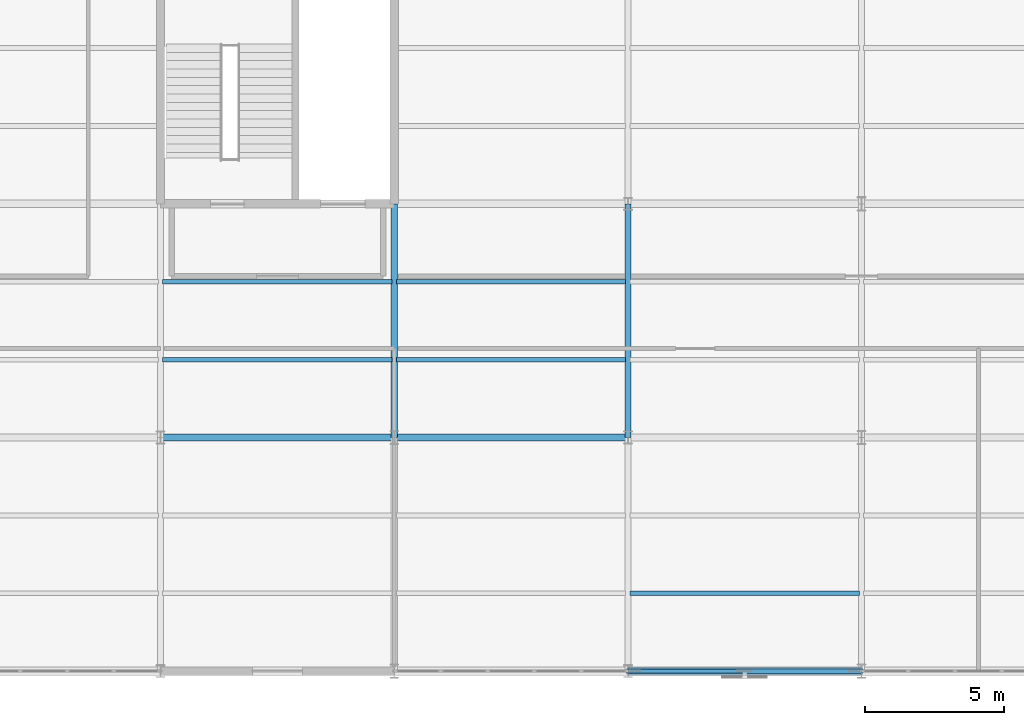
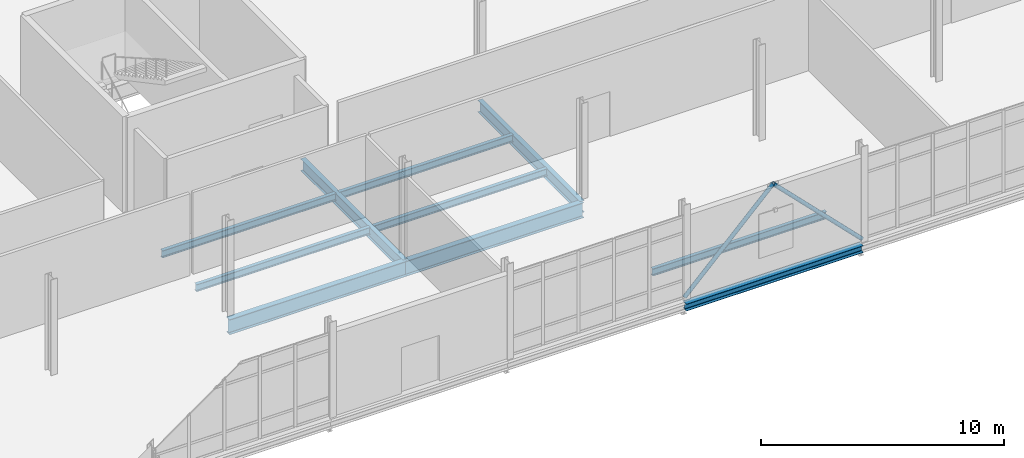
# One storey, part 95 of 145: 10 beams, 2 members.
"""IFC4 building model written with IfcOpenShell, lengths in metres."""

from ifc_helpers import new_model, si_unit, direction, frame, origin, origin_2d, place, context, subcontext, project, spatial, hollow_circle, i_section, extrude, material, material_profile, profile_set, type_object, element, save


model = new_model("IFC4")

# Units and contexts
model_context = context("Model", 3, precision=1e-05, world=origin(), true_north=direction((0.0, 1.0)))
body_context = subcontext(model_context, "Body", "Model", "MODEL_VIEW")
ifc_project = project(units=[si_unit("LENGTHUNIT", "METRE"), si_unit("AREAUNIT", "SQUARE_METRE"), si_unit("VOLUMEUNIT", "CUBIC_METRE"), si_unit("PLANEANGLEUNIT", "RADIAN"), si_unit("MASSUNIT", "GRAM", prefix="KILO")], contexts=[model_context])

# Site, building, storey
site_placement = place(None, origin())
site = spatial("IfcSite", under=ifc_project, at=site_placement, CompositionType="ELEMENT")
building_placement = place(site_placement, origin())
building = spatial("IfcBuilding", under=site, at=building_placement, Name="Qalvenar Corner Mobility Hub", CompositionType="ELEMENT")
storey_placement = place(building_placement, origin())
storey = spatial("IfcBuildingStorey", under=building, at=storey_placement, Name="L00", CompositionType="ELEMENT", Elevation=0.0)

# Beams
ifc_material = material(Name="Steel S355", Category="steel")
ifc_material_profile_1 = material_profile(ifc_material, i_section(OverallWidth=0.219970703125, OverallDepth=0.60009765625, WebThickness=0.011962890625, FlangeThickness=0.01904296875, FilletRadius=0.02392578125, at=origin_2d()), Name="IPE600")
ifc_profile_set_1 = profile_set([ifc_material_profile_1], Name="Steel S355")
beam_type_1 = type_object("IfcBeamType", Name="BM-IPE600", PredefinedType="BEAM", material=ifc_profile_set_1)
for number, where, z_axis, x_axis, name in (
    (1, (134.39990234375, 8.39990234375, -0.550048828125), (0.0, 1.0, 0.0), (-1.0, 0.0, 0.0), "Primary Steel Girder GY-0312"),
    (2, (142.800048828125, 8.39990234375, -0.550048828125), (0.0, 1.0, 0.0), (-1.0, 0.0, 0.0), "Primary Steel Girder GY-0318"),
):
    element("IfcBeam", number, at=place(storey_placement, frame(where, z_axis=z_axis, x_axis=x_axis)), inside=storey, type_object=beam_type_1, Name=name, PredefinedType="BEAM", context=body_context, shape_type="SweptSolid", body=[
        extrude(i_section(OverallWidth=0.219970703125, OverallDepth=0.60009765625, WebThickness=0.011962890625, FlangeThickness=0.01904296875, FilletRadius=0.02392578125, at=origin_2d()), origin(), (0.0, 0.0, 1.0), 8.400146484375),
    ])
ifc_material_profile_2 = material_profile(ifc_material, i_section(OverallWidth=0.26708984375, OverallDepth=0.761962890625, WebThickness=0.014404296875, FlangeThickness=0.021484375, FilletRadius=0.01708984375, at=origin_2d()), Name="IPE750x173")
ifc_profile_set_2 = profile_set([ifc_material_profile_2], Name="Steel S355")
beam_type_2 = type_object("IfcBeamType", Name="BM-IPE750", PredefinedType="BEAM", material=ifc_profile_set_2)
beam_1_placement = place(storey_placement, frame((126.0, 8.39990234375, -0.631103515625), z_axis=(1.0, 0.0, 0.0), x_axis=(0.0, 1.0, 0.0)))
element("IfcBeam", 3, at=beam_1_placement, inside=storey, type_object=beam_type_2, Name="Primary Steel Girder GX-0257", PredefinedType="BEAM", context=body_context, shape_type="SweptSolid", body=[
    extrude(i_section(OverallWidth=0.26708984375, OverallDepth=0.761962890625, WebThickness=0.014404296875, FlangeThickness=0.021484375, FilletRadius=0.01708984375, at=origin_2d()), origin(), (0.0, 0.0, 1.0), 8.39990234375),
])
beam_2_placement = place(storey_placement, frame((134.39990234375, 8.39990234375, -0.631103515625), z_axis=(1.0, 0.0, 0.0), x_axis=(0.0, 1.0, 0.0)))
element("IfcBeam", 4, at=beam_2_placement, inside=storey, type_object=beam_type_2, Name="Primary Steel Girder GX-0258", PredefinedType="BEAM", context=body_context, shape_type="SweptSolid", body=[
    extrude(i_section(OverallWidth=0.26708984375, OverallDepth=0.761962890625, WebThickness=0.014404296875, FlangeThickness=0.021484375, FilletRadius=0.01708984375, at=origin_2d()), origin(), (0.0, 0.0, 1.0), 8.400146484375),
])
ifc_material_profile_3 = material_profile(ifc_material, i_section(OverallWidth=0.169921875, OverallDepth=0.360107421875, WebThickness=0.008056640625, FlangeThickness=0.0126953125, FilletRadius=0.01806640625, at=origin_2d()), Name="IPE360")
ifc_profile_set_3 = profile_set([ifc_material_profile_3], Name="Steel S355")
beam_type_3 = type_object("IfcBeamType", Name="BM-JST360", PredefinedType="JOIST", material=ifc_profile_set_3)
for number, where, z_axis, x_axis, name in (
    (5, (126.077880859375, 11.199951171875, -0.429931640625), (1.0, 0.0, 0.0), (0.0, 1.0, 0.0), "Composite Floor Joist J-0367"),
    (6, (126.077880859375, 14.0, -0.429931640625), (1.0, 0.0, 0.0), (0.0, 1.0, 0.0), "Composite Floor Joist J-0368"),
):
    element("IfcBeam", number, at=place(storey_placement, frame(where, z_axis=z_axis, x_axis=x_axis)), inside=storey, type_object=beam_type_3, Name=name, PredefinedType="JOIST", context=body_context, shape_type="SweptSolid", body=[
        extrude(i_section(OverallWidth=0.169921875, OverallDepth=0.360107421875, WebThickness=0.008056640625, FlangeThickness=0.0126953125, FilletRadius=0.01806640625, at=origin_2d()), origin(), (0.0, 0.0, 1.0), 8.244140625),
    ])
for number, where, z_axis, x_axis, name in (
    (7, (134.47802734375, 11.199951171875, -0.429931640625), (1.0, 0.0, 0.0), (0.0, 1.0, 0.0), "Composite Floor Joist J-0377"),
    (8, (134.47802734375, 14.0, -0.429931640625), (1.0, 0.0, 0.0), (0.0, 1.0, 0.0), "Composite Floor Joist J-0378"),
):
    element("IfcBeam", number, at=place(storey_placement, frame(where, z_axis=z_axis, x_axis=x_axis)), inside=storey, type_object=beam_type_3, Name=name, PredefinedType="JOIST", context=body_context, shape_type="SweptSolid", body=[
        extrude(i_section(OverallWidth=0.169921875, OverallDepth=0.360107421875, WebThickness=0.008056640625, FlangeThickness=0.0126953125, FilletRadius=0.01806640625, at=origin_2d()), origin(), (0.0, 0.0, 1.0), 8.243896484375),
    ])
beam_3_placement = place(storey_placement, frame((142.8779296875, 2.800048828125, -0.429931640625), z_axis=(1.0, 0.0, 0.0), x_axis=(0.0, 1.0, 0.0)))
element("IfcBeam", 9, at=beam_3_placement, inside=storey, type_object=beam_type_3, Name="Composite Floor Joist J-0387", PredefinedType="JOIST", context=body_context, shape_type="SweptSolid", body=[
    extrude(i_section(OverallWidth=0.169921875, OverallDepth=0.360107421875, WebThickness=0.008056640625, FlangeThickness=0.0126953125, FilletRadius=0.01806640625, at=origin_2d()), origin(), (0.0, 0.0, 1.0), 8.244140625),
])
ifc_material_profile_4 = material_profile(ifc_material, i_section(OverallWidth=0.300048828125, OverallDepth=0.35009765625, WebThickness=0.010009765625, FlangeThickness=0.017578125, FilletRadius=0.027099609375, at=origin_2d()), Name="HEA360")
ifc_profile_set_4 = profile_set([ifc_material_profile_4], Name="Steel S355")
beam_type_4 = type_object("IfcBeamType", Name="BM-SPN360", PredefinedType="SPANDREL", material=ifc_profile_set_4)
beam_4_placement = place(storey_placement, frame((142.800048828125, 0.0, -0.425048828125), z_axis=(1.0, 0.0, 0.0), x_axis=(0.0, 1.0, 0.0)))
element("IfcBeam", 10, at=beam_4_placement, inside=storey, type_object=beam_type_4, Name="Primary Steel Girder GX-0252", PredefinedType="SPANDREL", context=body_context, shape_type="SweptSolid", body=[
    extrude(i_section(OverallWidth=0.300048828125, OverallDepth=0.35009765625, WebThickness=0.010009765625, FlangeThickness=0.017578125, FilletRadius=0.027099609375, at=origin_2d()), origin(), (0.0, 0.0, 1.0), 8.39990234375),
])

# Members
ifc_material_profile_5 = material_profile(ifc_material, hollow_circle(Radius=0.096923828125, WallThickness=0.008056640625, at=origin_2d()), Name="CHS193.7x8")
ifc_profile_set_5 = profile_set([ifc_material_profile_5], Name="Steel S355")
member_type = type_object("IfcMemberType", Name="BR-CHS193", PredefinedType="BRACE", material=ifc_profile_set_5)
for number, where, z_axis, x_axis, name in (
    (11, (142.800048828125, 0.0, 0.02001953125), (0.705423542875, 0.0, 0.708786022124), (0.0, 1.0, 0.0), "Chevron Lateral Brace BR-039"),
    (12, (151.199951171875, 0.0, 0.02001953125), (-0.705423542875, 0.0, 0.708786022124), (0.0, -1.0, 0.0), "Chevron Lateral Brace BR-040"),
):
    element("IfcMember", number, at=place(storey_placement, frame(where, z_axis=z_axis, x_axis=x_axis)), inside=storey, type_object=member_type, Name=name, PredefinedType="BRACE", context=body_context, shape_type="SweptSolid", body=[
        extrude(hollow_circle(Radius=0.096923828125, WallThickness=0.008056640625, at=origin_2d()), origin(), (0.0, 0.0, 1.0), 5.953857421875),
    ])

save(model, "model.ifc")
